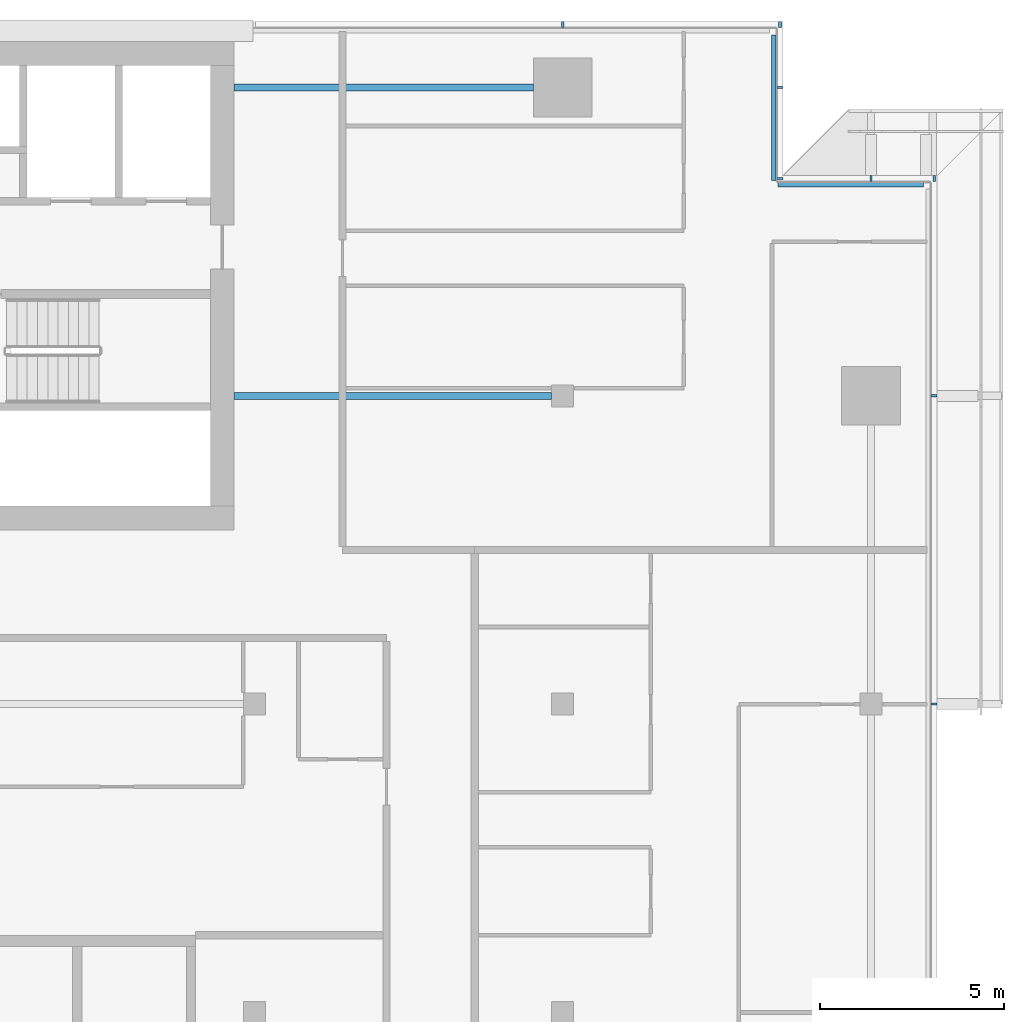
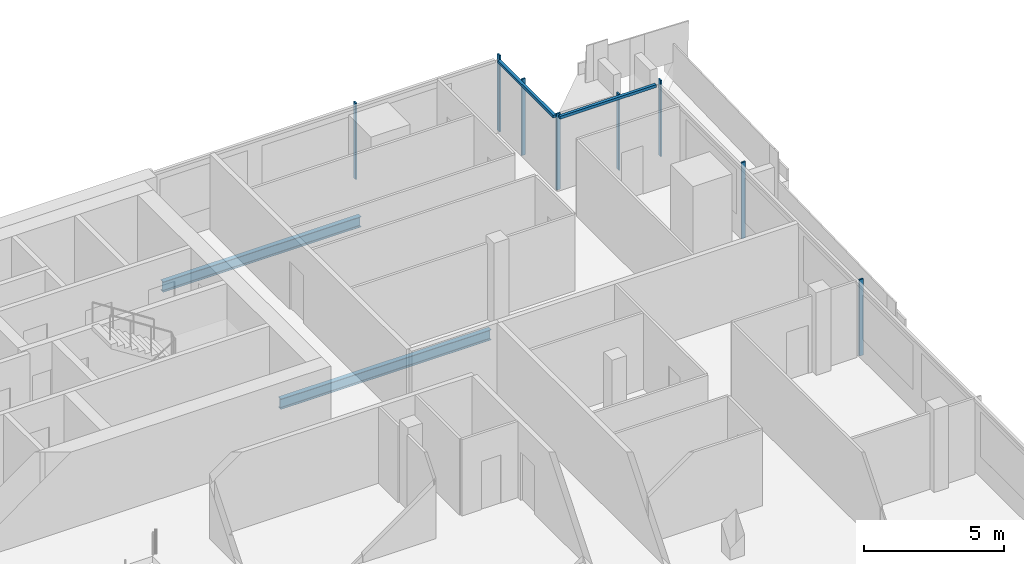
# One storey, part 14 of 30: 10 members, 2 beams, 4 elements without a shape of their own.
"""IFC4 building model written with IfcOpenShell, lengths in metres."""

from ifc_helpers import new_model, si_unit, direction, frame, origin, origin_2d, place, context, subcontext, project, spatial, rectangle, i_section, extrude, material, material_profile, profile_set, type_object, element, aggregate, save


model = new_model("IFC4")

# Units and contexts
model_context = context("Model", 3, precision=1e-05, world=origin(), true_north=direction((0.0, 1.0)))
body_context = subcontext(model_context, "Body", "Model", "MODEL_VIEW")
ifc_project = project(units=[si_unit("LENGTHUNIT", "METRE"), si_unit("AREAUNIT", "SQUARE_METRE"), si_unit("VOLUMEUNIT", "CUBIC_METRE"), si_unit("PLANEANGLEUNIT", "RADIAN"), si_unit("MASSUNIT", "GRAM", prefix="KILO")], contexts=[model_context])

# Site, building, storey
site_placement = place(None, origin())
site = spatial("IfcSite", under=ifc_project, at=site_placement, CompositionType="ELEMENT")
building_placement = place(site_placement, origin())
building = spatial("IfcBuilding", under=site, at=building_placement, Name="Saffron Gate Tower", CompositionType="ELEMENT")
storey_placement = place(building_placement, frame((0.0, 0.0, 223.5)))
storey = spatial("IfcBuildingStorey", under=building, at=storey_placement, Name="L54", CompositionType="ELEMENT", Elevation=223.5)

# Beams
ifc_material_1 = material(Name="Structural steel S355", Category="steel")
ifc_material_profile_1 = material_profile(ifc_material_1, i_section(OverallWidth=0.18994140625, OverallDepth=0.449951171875, WebThickness=0.009521484375, FlangeThickness=0.0146484375, FilletRadius=0.02099609375, at=origin_2d()))
ifc_profile_set_1 = profile_set([ifc_material_profile_1], Name="Structural steel S355")
beam_type = type_object("IfcBeamType", Name="B6 IPE 450", PredefinedType="BEAM", material=ifc_profile_set_1)
beam_1_placement = place(storey_placement, frame((116.699951171875, 65.39990234375, -0.5048828125), z_axis=(-1.0, 0.0, 0.0), x_axis=(0.0, -1.0, 0.0)))
element("IfcBeam", 1, at=beam_1_placement, inside=storey, type_object=beam_type, Name="B6 CORE TIE BEAM", PredefinedType="BEAM", context=body_context, shape_type="SweptSolid", body=[
    extrude(i_section(OverallWidth=0.18994140625, OverallDepth=0.449951171875, WebThickness=0.009521484375, FlangeThickness=0.0146484375, FilletRadius=0.02099609375, at=origin_2d()), origin(), (0.0, 0.0, 1.0), 8.64990234375),
])
beam_2_placement = place(storey_placement, frame((116.199951171875, 73.800048828125, -0.5048828125), z_axis=(-1.0, 0.0, 0.0), x_axis=(0.0, -1.0, 0.0)))
element("IfcBeam", 2, at=beam_2_placement, inside=storey, type_object=beam_type, Name="B6 CORE TIE BEAM", PredefinedType="BEAM", context=body_context, shape_type="SweptSolid", body=[
    extrude(i_section(OverallWidth=0.18994140625, OverallDepth=0.449951171875, WebThickness=0.009521484375, FlangeThickness=0.0146484375, FilletRadius=0.02099609375, at=origin_2d()), origin(), (0.0, 0.0, 1.0), 8.14990234375),
])

# Curtain wall, members
ifc_material_2 = material(Name="Aluminium, bronze anodised", Category="aluminium")
curtain_wall_type_1 = type_object("IfcCurtainWallType", Name="CWS2 curtain wall side facades", PredefinedType="NOTDEFINED", material=ifc_material_2)
curtain_wall_1_placement = place(storey_placement, origin())
curtain_wall_1 = element("IfcCurtainWall", 3, at=curtain_wall_1_placement, inside=storey, type_object=curtain_wall_type_1, Name="CWS2 run 4", PredefinedType="NOTDEFINED")
ifc_material_profile_2 = material_profile(ifc_material_2, rectangle(XDim=0.159912109375, YDim=0.06005859375, at=origin_2d()))
ifc_profile_set_2 = profile_set([ifc_material_profile_2], Name="Aluminium, bronze anodised")
member_type_1 = type_object("IfcMemberType", Name="CWS2 mullion 60x160", PredefinedType="MULLION", material=ifc_profile_set_2)
member_1_placement = place(storey_placement, frame((127.1201171875, 57.0, 0.0), z_axis=(0.0, 0.0, 1.0), x_axis=(-1.0, 0.0, 0.0)))
member_1 = element("IfcMember", 4, at=member_1_placement, type_object=member_type_1, Name="CWS2 mullion 4", PredefinedType="MULLION", context=body_context, shape_type="SweptSolid", body=[
    extrude(rectangle(XDim=0.159912109375, YDim=0.06005859375, at=origin_2d()), origin(), (0.0, 0.0, 1.0), 3.320068359375),
])
member_2_placement = place(storey_placement, frame((127.1201171875, 65.39990234375, 0.0), z_axis=(0.0, 0.0, 1.0), x_axis=(-1.0, 0.0, 0.0)))
member_2 = element("IfcMember", 5, at=member_2_placement, type_object=member_type_1, Name="CWS2 mullion 5", PredefinedType="MULLION", context=body_context, shape_type="SweptSolid", body=[
    extrude(rectangle(XDim=0.159912109375, YDim=0.06005859375, at=origin_2d()), origin(), (0.0, 0.0, 1.0), 3.320068359375),
])
aggregate(curtain_wall_1, [member_1, member_2])

curtain_wall_type_2 = type_object("IfcCurtainWallType", Name="CWS3 curtain wall rear facade", PredefinedType="NOTDEFINED", material=ifc_material_2)
curtain_wall_2_placement = place(storey_placement, origin())
curtain_wall_2 = element("IfcCurtainWall", 6, at=curtain_wall_2_placement, inside=storey, type_object=curtain_wall_type_2, Name="CWS3 run 7", PredefinedType="NOTDEFINED")
ifc_material_profile_3 = material_profile(ifc_material_2, rectangle(XDim=0.159912109375, YDim=0.070068359375, at=origin_2d()))
ifc_profile_set_3 = profile_set([ifc_material_profile_3], Name="Aluminium, bronze anodised")
member_type_2 = type_object("IfcMemberType", Name="CWS3 mullion 70x160", PredefinedType="MULLION", material=ifc_profile_set_3)
member_3_placement = place(storey_placement, frame((122.919921875, 75.52001953125, 0.0), z_axis=(0.0, 0.0, 1.0), x_axis=(0.0, -1.0, 0.0)))
member_3 = element("IfcMember", 7, at=member_3_placement, type_object=member_type_2, Name="CWS3 mullion 1", PredefinedType="MULLION", context=body_context, shape_type="SweptSolid", body=[
    extrude(rectangle(XDim=0.159912109375, YDim=0.070068359375, at=origin_2d()), origin(), (0.0, 0.0, 1.0), 3.320068359375),
])
member_4_placement = place(storey_placement, frame((117.0, 75.52001953125, 0.0), z_axis=(0.0, 0.0, 1.0), x_axis=(0.0, -1.0, 0.0)))
member_4 = element("IfcMember", 8, at=member_4_placement, type_object=member_type_2, Name="CWS3 mullion 2", PredefinedType="MULLION", context=body_context, shape_type="SweptSolid", body=[
    extrude(rectangle(XDim=0.159912109375, YDim=0.070068359375, at=origin_2d()), origin(), (0.0, 0.0, 1.0), 3.320068359375),
])
aggregate(curtain_wall_2, [member_3, member_4])

# Curtain wall, member
curtain_wall_type_3 = type_object("IfcCurtainWallType", Name="CWS4 curtain wall corner returns", PredefinedType="NOTDEFINED", material=ifc_material_2)
curtain_wall_3_placement = place(storey_placement, origin())
curtain_wall_3 = element("IfcCurtainWall", 9, at=curtain_wall_3_placement, inside=storey, type_object=curtain_wall_type_3, Name="CWS4 run 5", PredefinedType="NOTDEFINED")
ifc_material_profile_4 = material_profile(ifc_material_2, rectangle(XDim=0.1201171875, YDim=0.1201171875, at=origin_2d()))
ifc_profile_set_4 = profile_set([ifc_material_profile_4], Name="Aluminium, bronze anodised")
member_type_3 = type_object("IfcMemberType", Name="CWS4 head transom", PredefinedType="USERDEFINED", material=ifc_profile_set_4)
member_5_placement = place(storey_placement, frame((126.83203125, 71.152099609375, 3.260009765625), z_axis=(-1.0, 0.0, 0.0), x_axis=(0.0, -1.0, 0.0)))
member_5 = element("IfcMember", 10, at=member_5_placement, type_object=member_type_3, Name="CWS4 head transom", ObjectType="TRANSOM", PredefinedType="USERDEFINED", context=body_context, shape_type="SweptSolid", body=[
    extrude(rectangle(XDim=0.1201171875, YDim=0.1201171875, at=origin_2d()), origin(), (0.0, 0.0, 1.0), 3.9599609375),
])

curtain_wall_4_placement = place(storey_placement, origin())
curtain_wall_4 = element("IfcCurtainWall", 11, at=curtain_wall_4_placement, inside=storey, type_object=curtain_wall_type_3, Name="CWS4 run 6", PredefinedType="NOTDEFINED")
member_6_placement = place(storey_placement, frame((122.751953125, 71.27197265625, 3.260009765625), z_axis=(0.0, 1.0, 0.0), x_axis=(-1.0, 0.0, 0.0)))
member_6 = element("IfcMember", 12, at=member_6_placement, type_object=member_type_3, Name="CWS4 head transom", ObjectType="TRANSOM", PredefinedType="USERDEFINED", context=body_context, shape_type="SweptSolid", body=[
    extrude(rectangle(XDim=0.1201171875, YDim=0.1201171875, at=origin_2d()), origin(), (0.0, 0.0, 1.0), 3.9599609375),
])

# Member
ifc_material_profile_5 = material_profile(ifc_material_2, rectangle(XDim=0.159912109375, YDim=0.06005859375, at=origin_2d()))
ifc_profile_set_5 = profile_set([ifc_material_profile_5], Name="Aluminium, bronze anodised")
member_type_4 = type_object("IfcMemberType", Name="CWS4 mullion 60x160", PredefinedType="MULLION", material=ifc_profile_set_5)
member_7_placement = place(storey_placement, frame((127.1201171875, 71.320068359375, 0.0), z_axis=(0.0, 0.0, 1.0), x_axis=(0.0, -1.0, 0.0)))
member_7 = element("IfcMember", 13, at=member_7_placement, type_object=member_type_4, Name="CWS4 mullion 1", PredefinedType="MULLION", context=body_context, shape_type="SweptSolid", body=[
    extrude(rectangle(XDim=0.159912109375, YDim=0.06005859375, at=origin_2d()), origin(), (0.0, 0.0, 1.0), 3.320068359375),
])

member_8_placement = place(storey_placement, frame((125.39990234375, 71.320068359375, 0.0), z_axis=(0.0, 0.0, 1.0), x_axis=(0.0, -1.0, 0.0)))
member_8 = element("IfcMember", 14, at=member_8_placement, type_object=member_type_4, Name="CWS4 mullion 2", PredefinedType="MULLION", context=body_context, shape_type="SweptSolid", body=[
    extrude(rectangle(XDim=0.159912109375, YDim=0.06005859375, at=origin_2d()), origin(), (0.0, 0.0, 1.0), 3.320068359375),
])

aggregate(curtain_wall_3, [member_7, member_8, member_5])

member_9_placement = place(storey_placement, frame((122.919921875, 71.320068359375, 0.0), z_axis=(0.0, 0.0, 1.0), x_axis=(-1.0, 0.0, 0.0)))
member_9 = element("IfcMember", 15, at=member_9_placement, type_object=member_type_4, Name="CWS4 mullion 1", PredefinedType="MULLION", context=body_context, shape_type="SweptSolid", body=[
    extrude(rectangle(XDim=0.159912109375, YDim=0.06005859375, at=origin_2d()), origin(), (0.0, 0.0, 1.0), 3.320068359375),
])

member_10_placement = place(storey_placement, frame((122.919921875, 73.800048828125, 0.0), z_axis=(0.0, 0.0, 1.0), x_axis=(-1.0, 0.0, 0.0)))
member_10 = element("IfcMember", 16, at=member_10_placement, type_object=member_type_4, Name="CWS4 mullion 2", PredefinedType="MULLION", context=body_context, shape_type="SweptSolid", body=[
    extrude(rectangle(XDim=0.159912109375, YDim=0.06005859375, at=origin_2d()), origin(), (0.0, 0.0, 1.0), 3.320068359375),
])

aggregate(curtain_wall_4, [member_9, member_10, member_6])

save(model, "model.ifc")
